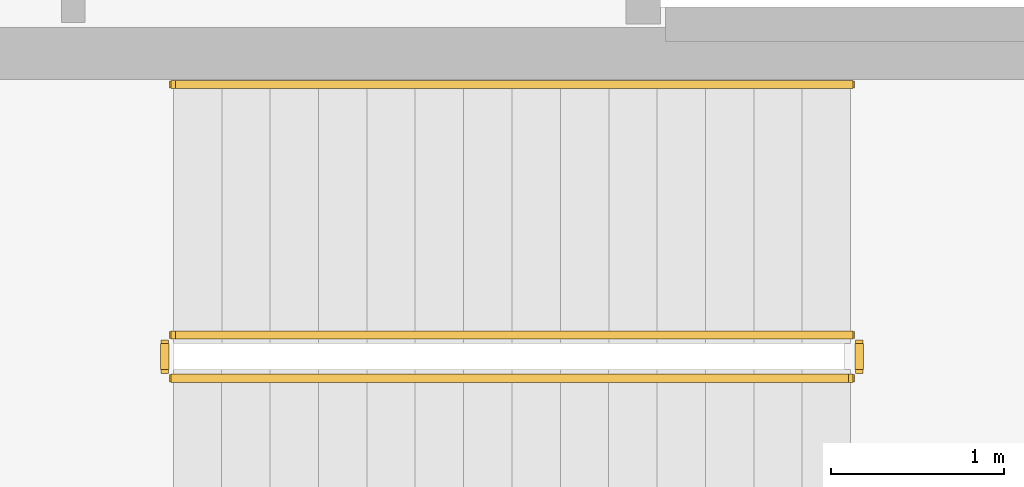
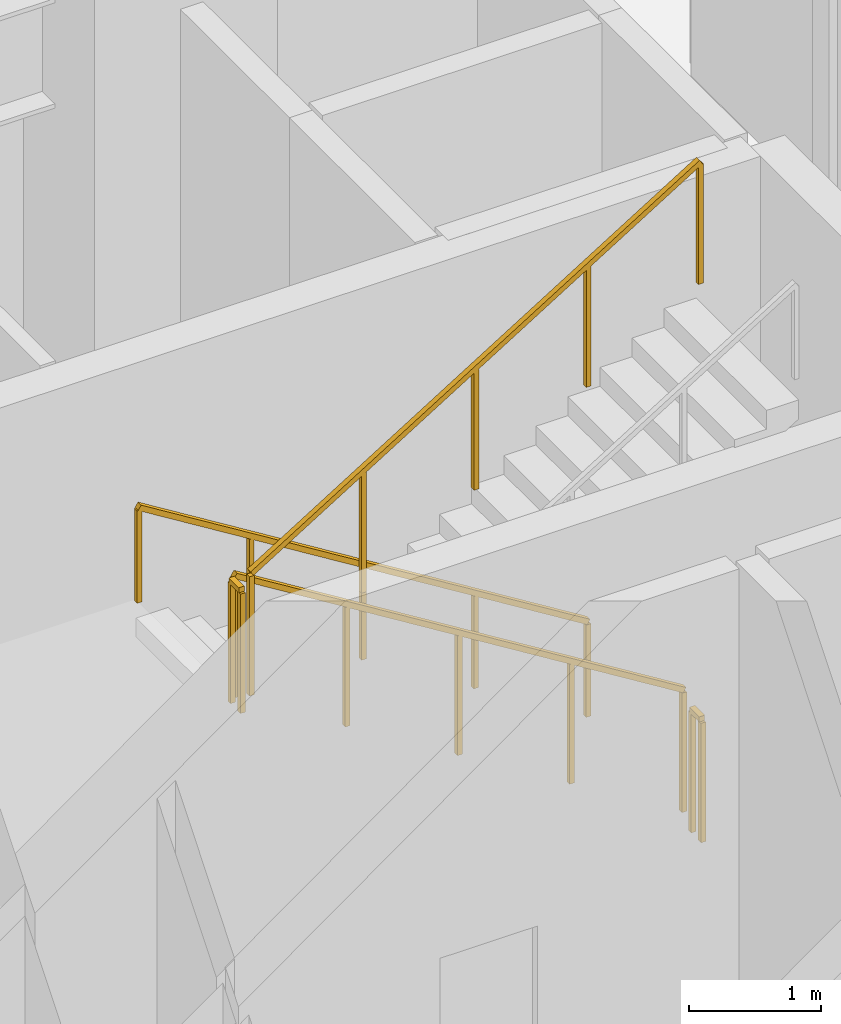
# One storey, part 28 of 29: 5 railings.
"""IFC4 building model written with IfcOpenShell, lengths in metres."""

from ifc_helpers import new_model, si_unit, direction, frame, origin, origin_2d, place, context, subcontext, project, spatial, rectangle, extrude, material, type_object, element, save


model = new_model("IFC4")

# Units and contexts
model_context = context("Model", 3, precision=1e-05, world=origin(), true_north=direction((0.0, 1.0)))
body_context = subcontext(model_context, "Body", "Model", "MODEL_VIEW")
ifc_project = project(units=[si_unit("LENGTHUNIT", "METRE"), si_unit("AREAUNIT", "SQUARE_METRE"), si_unit("VOLUMEUNIT", "CUBIC_METRE"), si_unit("PLANEANGLEUNIT", "RADIAN"), si_unit("MASSUNIT", "GRAM", prefix="KILO")], contexts=[model_context])

# Site, building, storey
site_placement = place(None, origin())
site = spatial("IfcSite", under=ifc_project, at=site_placement, CompositionType="ELEMENT")
building_placement = place(site_placement, origin())
building = spatial("IfcBuilding", under=site, at=building_placement, Name="Mawjaban Terraces University", CompositionType="ELEMENT")
storey_placement = place(building_placement, frame((0.0, 0.0, 20.800048828125)))
storey = spatial("IfcBuildingStorey", under=building, at=storey_placement, Name="L04", CompositionType="ELEMENT", Elevation=20.800048828125)

# Railings
ifc_material_1 = material(Name="Brushed stainless steel 316", Category="steel")
railing_type_1 = type_object("IfcRailingType", Name="StairWallHandrail_900", PredefinedType="HANDRAIL", material=ifc_material_1)
railing_1_placement = place(storey_placement, frame((30.050048828125, 18.800048828125, 0.17333984375)))
element("IfcRailing", 1, at=railing_1_placement, inside=storey, type_object=railing_type_1, Name="L04 ST-2 stair handrail 1", PredefinedType="HANDRAIL", context=body_context, shape_type="SweptSolid", body=[
    extrude(rectangle(XDim=0.048095703125, YDim=0.048095703125, at=origin_2d()), frame((0.0, 0.0, 0.8759765625), z_axis=(-0.850289973577, 0.0, 0.526314507528), x_axis=(0.0, -1.0, 0.0)), (0.0, 0.0, 1.0), 4.6103515625),
    extrude(rectangle(XDim=0.0419921875, YDim=0.0419921875, at=origin_2d()), origin(), (0.0, 0.0, 1.0), 0.851806640625),
    extrude(rectangle(XDim=0.0419921875, YDim=0.0419921875, at=origin_2d()), frame((-0.97998046875, 0.0, 0.606689453125)), (0.0, 0.0, 1.0), 0.851806640625),
    extrude(rectangle(XDim=0.0419921875, YDim=0.0419921875, at=origin_2d()), frame((-1.9599609375, 0.0, 1.21337890625)), (0.0, 0.0, 1.0), 0.851806640625),
    extrude(rectangle(XDim=0.0419921875, YDim=0.0419921875, at=origin_2d()), frame((-2.940185546875, 0.0, 1.81982421875)), (0.0, 0.0, 1.0), 0.851806640625),
    extrude(rectangle(XDim=0.0419921875, YDim=0.0419921875, at=origin_2d()), frame((-3.920166015625, 0.0, 2.426513671875)), (0.0, 0.0, 1.0), 0.851806640625),
])
ifc_material_2 = material(Name="Galvanised painted steel S355", Category="steel")
railing_type_2 = type_object("IfcRailingType", Name="StairWellGuard_1150", PredefinedType="BALUSTRADE", material=ifc_material_2)
railing_2_placement = place(storey_placement, frame((30.050048828125, 17.35009765625, 0.17333984375)))
element("IfcRailing", 2, at=railing_2_placement, inside=storey, type_object=railing_type_2, Name="L04 ST-2 stair guard 1", PredefinedType="BALUSTRADE", context=body_context, shape_type="SweptSolid", body=[
    extrude(rectangle(XDim=0.048095703125, YDim=0.048095703125, at=origin_2d()), frame((0.0, 0.0, 1.1259765625), z_axis=(-0.850289973577, 0.0, 0.526314507528), x_axis=(0.0, -1.0, 0.0)), (0.0, 0.0, 1.0), 4.6103515625),
    extrude(rectangle(XDim=0.0419921875, YDim=0.0419921875, at=origin_2d()), origin(), (0.0, 0.0, 1.0), 1.101806640625),
    extrude(rectangle(XDim=0.0419921875, YDim=0.0419921875, at=origin_2d()), frame((-0.97998046875, 0.0, 0.606689453125)), (0.0, 0.0, 1.0), 1.101806640625),
    extrude(rectangle(XDim=0.0419921875, YDim=0.0419921875, at=origin_2d()), frame((-1.9599609375, 0.0, 1.21337890625)), (0.0, 0.0, 1.0), 1.101806640625),
    extrude(rectangle(XDim=0.0419921875, YDim=0.0419921875, at=origin_2d()), frame((-2.940185546875, 0.0, 1.81982421875)), (0.0, 0.0, 1.0), 1.101806640625),
    extrude(rectangle(XDim=0.0419921875, YDim=0.0419921875, at=origin_2d()), frame((-3.920166015625, 0.0, 2.426513671875)), (0.0, 0.0, 1.0), 1.101806640625),
])
railing_3_placement = place(storey_placement, frame((26.080078125, 17.300048828125, 2.599853515625)))
element("IfcRailing", 3, at=railing_3_placement, inside=storey, type_object=railing_type_2, Name="L04 ST-2 stair guard 2", PredefinedType="BALUSTRADE", context=body_context, shape_type="SweptSolid", body=[
    extrude(rectangle(XDim=0.048095703125, YDim=0.048095703125, at=origin_2d()), frame((0.0, 0.0, 1.1259765625), z_axis=(0.0, -1.0, 0.0), x_axis=(1.0, 0.0, 0.0)), (0.0, 0.0, 1.0), 0.150146484375),
    extrude(rectangle(XDim=0.0419921875, YDim=0.0419921875, at=origin_2d()), origin(), (0.0, 0.0, 1.0), 1.101806640625),
    extrude(rectangle(XDim=0.0419921875, YDim=0.0419921875, at=origin_2d()), frame((0.0, -0.150146484375, 0.0)), (0.0, 0.0, 1.0), 1.101806640625),
])
railing_4_placement = place(storey_placement, frame((26.1298828125, 17.10009765625, 2.773193359375)))
element("IfcRailing", 4, at=railing_4_placement, inside=storey, type_object=railing_type_2, Name="L04 ST-2 stair guard 3", PredefinedType="BALUSTRADE", context=body_context, shape_type="SweptSolid", body=[
    extrude(rectangle(XDim=0.048095703125, YDim=0.048095703125, at=origin_2d()), frame((0.0, 0.0, 1.1259765625), z_axis=(0.850266275192, 0.0, 0.526352791643), x_axis=(0.0, 1.0, 0.0)), (0.0, 0.0, 1.0), 4.610595703125),
    extrude(rectangle(XDim=0.0419921875, YDim=0.0419921875, at=origin_2d()), origin(), (0.0, 0.0, 1.0), 1.101806640625),
    extrude(rectangle(XDim=0.0419921875, YDim=0.0419921875, at=origin_2d()), frame((0.97998046875, 0.0, 0.606689453125)), (0.0, 0.0, 1.0), 1.101806640625),
    extrude(rectangle(XDim=0.0419921875, YDim=0.0419921875, at=origin_2d()), frame((1.9599609375, 0.0, 1.21337890625)), (0.0, 0.0, 1.0), 1.101806640625),
    extrude(rectangle(XDim=0.0419921875, YDim=0.0419921875, at=origin_2d()), frame((2.940185546875, 0.0, 1.820068359375)), (0.0, 0.0, 1.0), 1.101806640625),
    extrude(rectangle(XDim=0.0419921875, YDim=0.0419921875, at=origin_2d()), frame((3.920166015625, 0.0, 2.4267578125)), (0.0, 0.0, 1.0), 1.101806640625),
])
railing_5_placement = place(storey_placement, frame((30.10009765625, 17.300048828125, 0.0)))
element("IfcRailing", 5, at=railing_5_placement, inside=storey, type_object=railing_type_2, Name="L04 ST-2 stair guard 4", PredefinedType="BALUSTRADE", context=body_context, shape_type="SweptSolid", body=[
    extrude(rectangle(XDim=0.048095703125, YDim=0.048095703125, at=origin_2d()), frame((0.0, 0.0, 1.1259765625), z_axis=(0.0, -1.0, 0.0), x_axis=(1.0, 0.0, 0.0)), (0.0, 0.0, 1.0), 0.150146484375),
    extrude(rectangle(XDim=0.0419921875, YDim=0.0419921875, at=origin_2d()), origin(), (0.0, 0.0, 1.0), 1.101806640625),
    extrude(rectangle(XDim=0.0419921875, YDim=0.0419921875, at=origin_2d()), frame((0.0, -0.150146484375, 0.0)), (0.0, 0.0, 1.0), 1.101806640625),
])

save(model, "model.ifc")
